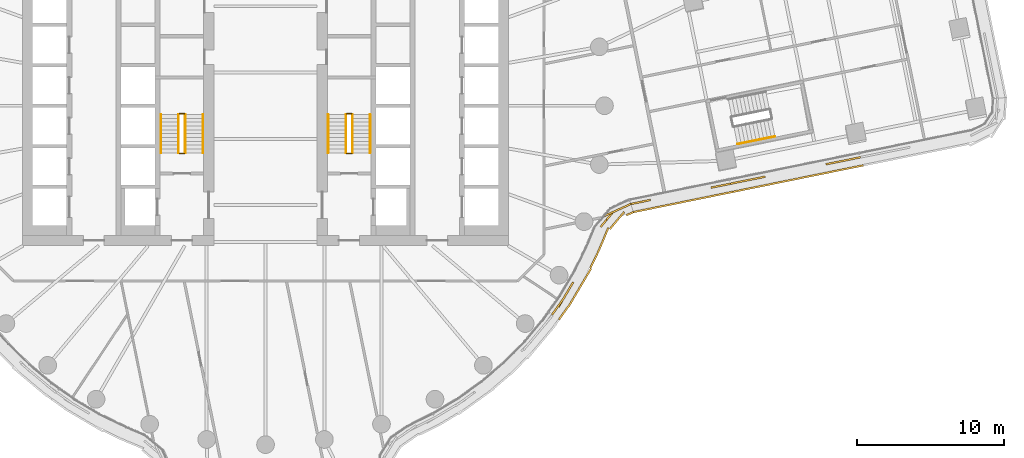
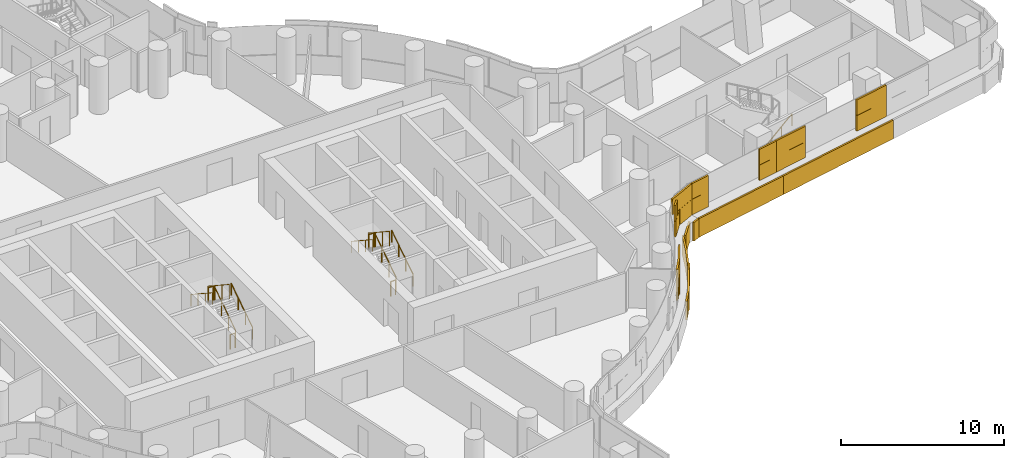
# One storey, part 27 of 31: 13 railings, 3 coverings.
"""IFC4 building model written with IfcOpenShell, lengths in metres."""

from ifc_helpers import new_model, si_unit, direction, frame, origin, origin_2d, place, context, subcontext, project, spatial, rectangle, circle, extrude, material, layer, layer_set, type_object, element, save


model = new_model("IFC4")

# Units and contexts
model_context = context("Model", 3, precision=1e-05, world=origin(), true_north=direction((0.0, 1.0)))
body_context = subcontext(model_context, "Body", "Model", "MODEL_VIEW")
ifc_project = project(units=[si_unit("LENGTHUNIT", "METRE"), si_unit("AREAUNIT", "SQUARE_METRE"), si_unit("VOLUMEUNIT", "CUBIC_METRE"), si_unit("PLANEANGLEUNIT", "RADIAN"), si_unit("MASSUNIT", "GRAM", prefix="KILO")], contexts=[model_context])

# Site, building, storey
site_placement = place(None, origin())
site = spatial("IfcSite", under=ifc_project, at=site_placement, CompositionType="ELEMENT")
building_placement = place(site_placement, origin())
building = spatial("IfcBuilding", under=site, at=building_placement, Name="Tamarind Cross Interchange Tower", CompositionType="ELEMENT")
storey_placement = place(building_placement, frame((0.0, 0.0, 75.25)))
storey = spatial("IfcBuildingStorey", under=building, at=storey_placement, Name="L17", CompositionType="ELEMENT", Elevation=75.25)

# Railings
ifc_material_1 = material(Name="Stair guard")
railing_type_1 = type_object("IfcRailingType", Name="Stair guard", PredefinedType="GUARDRAIL", material=ifc_material_1)
railing_1_placement = place(storey_placement, frame((-5.449951171875, -3.199951171875, 0.17041015625)))
element("IfcRailing", 1, at=railing_1_placement, inside=storey, type_object=railing_type_1, Name="L17 ST1 stair guard 1", PredefinedType="GUARDRAIL", context=body_context, shape_type="SweptSolid", body=[
    extrude(circle(Radius=0.02392578125, at=origin_2d()), frame((0.0, 0.0, 1.076171875), z_axis=(0.0, 0.836278606002, 0.548304744775), x_axis=(-1.0, 0.0, 0.0)), (0.0, 0.0, 1.0), 3.10888671875),
    extrude(circle(Radius=0.02099609375, at=origin_2d()), origin(), (0.0, 0.0, 1.0), 1.052001953125),
    extrude(circle(Radius=0.02099609375, at=origin_2d()), frame((0.0, 0.86669921875, 0.568115234375)), (0.0, 0.0, 1.0), 1.052001953125),
    extrude(circle(Radius=0.02099609375, at=origin_2d()), frame((0.0, 1.733154296875, 1.136474609375)), (0.0, 0.0, 1.0), 1.052001953125),
    extrude(circle(Radius=0.02099609375, at=origin_2d()), frame((0.0, 2.599853515625, 1.70458984375)), (0.0, 0.0, 1.0), 1.052001953125),
])
railing_2_placement = place(storey_placement, frame((-5.5, -0.550048828125, 1.875)))
element("IfcRailing", 2, at=railing_2_placement, inside=storey, type_object=railing_type_1, Name="L17 ST1 stair guard 2", PredefinedType="GUARDRAIL", context=body_context, shape_type="SweptSolid", body=[
    extrude(circle(Radius=0.02392578125, at=origin_2d()), frame((0.0, 0.0, 1.076171875), z_axis=(-1.0, 0.0, 0.0), x_axis=(0.0, -1.0, 0.0)), (0.0, 0.0, 1.0), 0.35009765625),
    extrude(circle(Radius=0.02099609375, at=origin_2d()), origin(), (0.0, 0.0, 1.0), 1.052001953125),
    extrude(circle(Radius=0.02099609375, at=origin_2d()), frame((-0.35009765625, 0.0, 0.0)), (0.0, 0.0, 1.0), 1.052001953125),
])
railing_3_placement = place(storey_placement, frame((-5.89990234375, -0.60009765625, 2.04541015625)))
element("IfcRailing", 3, at=railing_3_placement, inside=storey, type_object=railing_type_1, Name="L17 ST1 stair guard 3", PredefinedType="GUARDRAIL", context=body_context, shape_type="SweptSolid", body=[
    extrude(circle(Radius=0.02392578125, at=origin_2d()), frame((0.0, 0.0, 1.076171875), z_axis=(0.0, -0.836278606002, 0.548304744775), x_axis=(1.0, 0.0, 0.0)), (0.0, 0.0, 1.0), 3.10888671875),
    extrude(circle(Radius=0.02099609375, at=origin_2d()), origin(), (0.0, 0.0, 1.0), 1.052001953125),
    extrude(circle(Radius=0.02099609375, at=origin_2d()), frame((0.0, -0.86669921875, 0.568115234375)), (0.0, 0.0, 1.0), 1.052001953125),
    extrude(circle(Radius=0.02099609375, at=origin_2d()), frame((0.0, -1.733154296875, 1.136474609375)), (0.0, 0.0, 1.0), 1.052001953125),
    extrude(circle(Radius=0.02099609375, at=origin_2d()), frame((0.0, -2.599853515625, 1.70458984375)), (0.0, 0.0, 1.0), 1.052001953125),
])
railing_4_placement = place(storey_placement, frame((-5.5, -3.25, 0.0)))
element("IfcRailing", 4, at=railing_4_placement, inside=storey, type_object=railing_type_1, Name="L17 ST1 stair guard 4", PredefinedType="GUARDRAIL", context=body_context, shape_type="SweptSolid", body=[
    extrude(circle(Radius=0.02392578125, at=origin_2d()), frame((0.0, 0.0, 1.076171875), z_axis=(-1.0, 0.0, 0.0), x_axis=(0.0, -1.0, 0.0)), (0.0, 0.0, 1.0), 0.35009765625),
    extrude(circle(Radius=0.02099609375, at=origin_2d()), origin(), (0.0, 0.0, 1.0), 1.052001953125),
    extrude(circle(Radius=0.02099609375, at=origin_2d()), frame((-0.35009765625, 0.0, 0.0)), (0.0, 0.0, 1.0), 1.052001953125),
])
railing_5_placement = place(storey_placement, frame((5.89990234375, -3.199951171875, 0.17041015625)))
element("IfcRailing", 5, at=railing_5_placement, inside=storey, type_object=railing_type_1, Name="L17 ST2 stair guard 1", PredefinedType="GUARDRAIL", context=body_context, shape_type="SweptSolid", body=[
    extrude(circle(Radius=0.02392578125, at=origin_2d()), frame((0.0, 0.0, 1.076171875), z_axis=(0.0, 0.836278606002, 0.548304744775), x_axis=(-1.0, 0.0, 0.0)), (0.0, 0.0, 1.0), 3.10888671875),
    extrude(circle(Radius=0.02099609375, at=origin_2d()), origin(), (0.0, 0.0, 1.0), 1.052001953125),
    extrude(circle(Radius=0.02099609375, at=origin_2d()), frame((0.0, 0.86669921875, 0.568115234375)), (0.0, 0.0, 1.0), 1.052001953125),
    extrude(circle(Radius=0.02099609375, at=origin_2d()), frame((0.0, 1.733154296875, 1.136474609375)), (0.0, 0.0, 1.0), 1.052001953125),
    extrude(circle(Radius=0.02099609375, at=origin_2d()), frame((0.0, 2.599853515625, 1.70458984375)), (0.0, 0.0, 1.0), 1.052001953125),
])
railing_6_placement = place(storey_placement, frame((5.85009765625, -0.550048828125, 1.875)))
element("IfcRailing", 6, at=railing_6_placement, inside=storey, type_object=railing_type_1, Name="L17 ST2 stair guard 2", PredefinedType="GUARDRAIL", context=body_context, shape_type="SweptSolid", body=[
    extrude(circle(Radius=0.02392578125, at=origin_2d()), frame((0.0, 0.0, 1.076171875), z_axis=(-1.0, 0.0, 0.0), x_axis=(0.0, -1.0, 0.0)), (0.0, 0.0, 1.0), 0.35009765625),
    extrude(circle(Radius=0.02099609375, at=origin_2d()), origin(), (0.0, 0.0, 1.0), 1.052001953125),
    extrude(circle(Radius=0.02099609375, at=origin_2d()), frame((-0.35009765625, 0.0, 0.0)), (0.0, 0.0, 1.0), 1.052001953125),
])
railing_7_placement = place(storey_placement, frame((5.449951171875, -0.60009765625, 2.04541015625)))
element("IfcRailing", 7, at=railing_7_placement, inside=storey, type_object=railing_type_1, Name="L17 ST2 stair guard 3", PredefinedType="GUARDRAIL", context=body_context, shape_type="SweptSolid", body=[
    extrude(circle(Radius=0.02392578125, at=origin_2d()), frame((0.0, 0.0, 1.076171875), z_axis=(0.0, -0.836278606002, 0.548304744775), x_axis=(1.0, 0.0, 0.0)), (0.0, 0.0, 1.0), 3.10888671875),
    extrude(circle(Radius=0.02099609375, at=origin_2d()), origin(), (0.0, 0.0, 1.0), 1.052001953125),
    extrude(circle(Radius=0.02099609375, at=origin_2d()), frame((0.0, -0.86669921875, 0.568115234375)), (0.0, 0.0, 1.0), 1.052001953125),
    extrude(circle(Radius=0.02099609375, at=origin_2d()), frame((0.0, -1.733154296875, 1.136474609375)), (0.0, 0.0, 1.0), 1.052001953125),
    extrude(circle(Radius=0.02099609375, at=origin_2d()), frame((0.0, -2.599853515625, 1.70458984375)), (0.0, 0.0, 1.0), 1.052001953125),
])
railing_8_placement = place(storey_placement, frame((5.85009765625, -3.25, 0.0)))
element("IfcRailing", 8, at=railing_8_placement, inside=storey, type_object=railing_type_1, Name="L17 ST2 stair guard 4", PredefinedType="GUARDRAIL", context=body_context, shape_type="SweptSolid", body=[
    extrude(circle(Radius=0.02392578125, at=origin_2d()), frame((0.0, 0.0, 1.076171875), z_axis=(-1.0, 0.0, 0.0), x_axis=(0.0, -1.0, 0.0)), (0.0, 0.0, 1.0), 0.35009765625),
    extrude(circle(Radius=0.02099609375, at=origin_2d()), origin(), (0.0, 0.0, 1.0), 1.052001953125),
    extrude(circle(Radius=0.02099609375, at=origin_2d()), frame((-0.35009765625, 0.0, 0.0)), (0.0, 0.0, 1.0), 1.052001953125),
])
ifc_material_2 = material(Name="Stair handrail")
railing_type_2 = type_object("IfcRailingType", Name="Stair handrail", PredefinedType="HANDRAIL", material=ifc_material_2)
railing_9_placement = place(storey_placement, frame((-4.25, -3.199951171875, 0.17041015625)))
element("IfcRailing", 9, at=railing_9_placement, inside=storey, type_object=railing_type_2, Name="L17 ST1 stair handrail 1", PredefinedType="HANDRAIL", context=body_context, shape_type="SweptSolid", body=[
    extrude(circle(Radius=0.02392578125, at=origin_2d()), frame((0.0, 0.0, 0.8759765625), z_axis=(0.0, 0.836278606002, 0.548304744775), x_axis=(-1.0, 0.0, 0.0)), (0.0, 0.0, 1.0), 3.10888671875),
    extrude(circle(Radius=0.02099609375, at=origin_2d()), origin(), (0.0, 0.0, 1.0), 0.851806640625),
    extrude(circle(Radius=0.02099609375, at=origin_2d()), frame((0.0, 0.86669921875, 0.568115234375)), (0.0, 0.0, 1.0), 0.851806640625),
    extrude(circle(Radius=0.02099609375, at=origin_2d()), frame((0.0, 1.733154296875, 1.136474609375)), (0.0, 0.0, 1.0), 0.851806640625),
    extrude(circle(Radius=0.02099609375, at=origin_2d()), frame((0.0, 2.599853515625, 1.70458984375)), (0.0, 0.0, 1.0), 0.851806640625),
])
railing_10_placement = place(storey_placement, frame((-7.10009765625, -0.60009765625, 2.04541015625)))
element("IfcRailing", 10, at=railing_10_placement, inside=storey, type_object=railing_type_2, Name="L17 ST1 stair handrail 2", PredefinedType="HANDRAIL", context=body_context, shape_type="SweptSolid", body=[
    extrude(circle(Radius=0.02392578125, at=origin_2d()), frame((0.0, 0.0, 0.8759765625), z_axis=(0.0, -0.836278606002, 0.548304744775), x_axis=(1.0, 0.0, 0.0)), (0.0, 0.0, 1.0), 3.10888671875),
    extrude(circle(Radius=0.02099609375, at=origin_2d()), origin(), (0.0, 0.0, 1.0), 0.851806640625),
    extrude(circle(Radius=0.02099609375, at=origin_2d()), frame((0.0, -0.86669921875, 0.568115234375)), (0.0, 0.0, 1.0), 0.851806640625),
    extrude(circle(Radius=0.02099609375, at=origin_2d()), frame((0.0, -1.733154296875, 1.136474609375)), (0.0, 0.0, 1.0), 0.851806640625),
    extrude(circle(Radius=0.02099609375, at=origin_2d()), frame((0.0, -2.599853515625, 1.70458984375)), (0.0, 0.0, 1.0), 0.851806640625),
])
railing_11_placement = place(storey_placement, frame((7.10009765625, -3.199951171875, 0.17041015625)))
element("IfcRailing", 11, at=railing_11_placement, inside=storey, type_object=railing_type_2, Name="L17 ST2 stair handrail 1", PredefinedType="HANDRAIL", context=body_context, shape_type="SweptSolid", body=[
    extrude(circle(Radius=0.02392578125, at=origin_2d()), frame((0.0, 0.0, 0.8759765625), z_axis=(0.0, 0.836278606002, 0.548304744775), x_axis=(-1.0, 0.0, 0.0)), (0.0, 0.0, 1.0), 3.10888671875),
    extrude(circle(Radius=0.02099609375, at=origin_2d()), origin(), (0.0, 0.0, 1.0), 0.851806640625),
    extrude(circle(Radius=0.02099609375, at=origin_2d()), frame((0.0, 0.86669921875, 0.568115234375)), (0.0, 0.0, 1.0), 0.851806640625),
    extrude(circle(Radius=0.02099609375, at=origin_2d()), frame((0.0, 1.733154296875, 1.136474609375)), (0.0, 0.0, 1.0), 0.851806640625),
    extrude(circle(Radius=0.02099609375, at=origin_2d()), frame((0.0, 2.599853515625, 1.70458984375)), (0.0, 0.0, 1.0), 0.851806640625),
])
railing_12_placement = place(storey_placement, frame((4.25, -0.60009765625, 2.04541015625)))
element("IfcRailing", 12, at=railing_12_placement, inside=storey, type_object=railing_type_2, Name="L17 ST2 stair handrail 2", PredefinedType="HANDRAIL", context=body_context, shape_type="SweptSolid", body=[
    extrude(circle(Radius=0.02392578125, at=origin_2d()), frame((0.0, 0.0, 0.8759765625), z_axis=(0.0, -0.836278606002, 0.548304744775), x_axis=(1.0, 0.0, 0.0)), (0.0, 0.0, 1.0), 3.10888671875),
    extrude(circle(Radius=0.02099609375, at=origin_2d()), origin(), (0.0, 0.0, 1.0), 0.851806640625),
    extrude(circle(Radius=0.02099609375, at=origin_2d()), frame((0.0, -0.86669921875, 0.568115234375)), (0.0, 0.0, 1.0), 0.851806640625),
    extrude(circle(Radius=0.02099609375, at=origin_2d()), frame((0.0, -1.733154296875, 1.136474609375)), (0.0, 0.0, 1.0), 0.851806640625),
    extrude(circle(Radius=0.02099609375, at=origin_2d()), frame((0.0, -2.599853515625, 1.70458984375)), (0.0, 0.0, 1.0), 0.851806640625),
])
railing_13_placement = place(storey_placement, frame((32.02001953125, -2.605712890625, 0.17041015625)))
element("IfcRailing", 13, at=railing_13_placement, inside=storey, type_object=railing_type_2, Name="L17 ST3 stair handrail 1", PredefinedType="HANDRAIL", context=body_context, shape_type="SweptSolid", body=[
    extrude(circle(Radius=0.02392578125, at=origin_2d()), frame((0.0, 0.0, 0.8759765625), z_axis=(0.819521697612, 0.166637125559, 0.548284830656), x_axis=(-0.199257188689, 0.979947229577, 0.0)), (0.0, 0.0, 1.0), 3.10888671875),
    extrude(circle(Radius=0.02099609375, at=origin_2d()), origin(), (0.0, 0.0, 1.0), 0.851806640625),
    extrude(circle(Radius=0.02099609375, at=origin_2d()), frame((0.849365234375, 0.172607421875, 0.568115234375)), (0.0, 0.0, 1.0), 0.851806640625),
    extrude(circle(Radius=0.02099609375, at=origin_2d()), frame((1.698486328125, 0.345458984375, 1.136474609375)), (0.0, 0.0, 1.0), 0.851806640625),
    extrude(circle(Radius=0.02099609375, at=origin_2d()), frame((2.5478515625, 0.51806640625, 1.70458984375)), (0.0, 0.0, 1.0), 0.851806640625),
])

# Coverings
ifc_material_3 = material(Name="Terracotta", Category="masonry")
ifc_layer = layer(ifc_material_3, 0.1201171875)
ifc_layer_set = layer_set([ifc_layer], Name="Terracotta")
covering_type = type_object("IfcCoveringType", Name="Terracotta baguette screen unit", PredefinedType="MOLDING", material=ifc_layer_set)
covering_1_placement = place(storey_placement, origin())
element("IfcCovering", 14, at=covering_1_placement, inside=storey, type_object=covering_type, Name="SCR-L17-06-01", PredefinedType="MOLDING", context=body_context, shape_type="SweptSolid", body=[
    extrude(rectangle(XDim=0.69775390625, YDim=0.1201171875, at=origin_2d()), frame((19.647216796875, -13.897216796875, 1.404052734375), z_axis=(0.0, 0.0, 1.0), x_axis=(0.577568978284, 0.816341886298, 0.0)), (0.0, 0.0, 1.0), 1.1669921875),
    extrude(rectangle(XDim=1.52001953125, YDim=0.1201171875, at=origin_2d()), frame((20.27197265625, -12.99951171875, 1.404052734375), z_axis=(0.0, 0.0, 1.0), x_axis=(0.508183308752, 0.861248933065, 0.0)), (0.0, 0.0, 1.0), 1.1669921875),
    extrude(rectangle(XDim=0.454345703125, YDim=0.1201171875, at=origin_2d()), frame((20.76611328125, -12.162353515625, 1.404052734375), z_axis=(0.0, 0.0, 1.0), x_axis=(0.508183308752, 0.861248933065, 0.0)), (0.0, 0.0, 1.0), 1.1669921875),
    extrude(rectangle(XDim=1.36572265625, YDim=0.1201171875, at=origin_2d()), frame((23.178955078125, -7.70068359375, 1.404052734375), z_axis=(0.0, 0.0, 1.0), x_axis=(0.642347784844, 0.766413284923, 0.0)), (0.0, 0.0, 1.0), 1.1669921875),
    extrude(rectangle(XDim=1.286376953125, YDim=0.1201171875, at=origin_2d()), frame((24.20751953125, -6.9326171875, 1.404052734375), z_axis=(0.0, 0.0, 1.0), x_axis=(0.910081962098, 0.414428307748, 0.0)), (0.0, 0.0, 1.0), 1.1669921875),
    extrude(rectangle(XDim=1.44775390625, YDim=0.1201171875, at=origin_2d()), frame((19.864013671875, -13.591064453125, 2.5791015625), z_axis=(0.0, 0.0, 1.0), x_axis=(0.577568978284, 0.816341886298, 0.0)), (0.0, 0.0, 1.0), 1.1669921875),
    extrude(rectangle(XDim=1.204345703125, YDim=0.1201171875, at=origin_2d()), frame((20.575439453125, -12.4853515625, 2.5791015625), z_axis=(0.0, 0.0, 1.0), x_axis=(0.508183308752, 0.861248933065, 0.0)), (0.0, 0.0, 1.0), 1.1669921875),
    extrude(rectangle(XDim=0.61572265625, YDim=0.1201171875, at=origin_2d()), frame((22.938232421875, -7.988037109375, 2.5791015625), z_axis=(0.0, 0.0, 1.0), x_axis=(0.642347784844, 0.766413284923, 0.0)), (0.0, 0.0, 1.0), 1.1669921875),
    extrude(rectangle(XDim=1.52001953125, YDim=0.1201171875, at=origin_2d()), frame((23.626708984375, -7.197021484375, 2.5791015625), z_axis=(0.0, 0.0, 1.0), x_axis=(0.910081962098, 0.414428307748, 0.0)), (0.0, 0.0, 1.0), 1.1669921875),
    extrude(rectangle(XDim=0.536376953125, YDim=0.1201171875, at=origin_2d()), frame((24.548583984375, -6.77734375, 2.5791015625), z_axis=(0.0, 0.0, 1.0), x_axis=(0.910081962098, 0.414428307748, 0.0)), (0.0, 0.0, 1.0), 1.1669921875),
    extrude(rectangle(XDim=1.097900390625, YDim=0.1201171875, at=origin_2d()), frame((20.229736328125, -14.06787109375, 0.00390625), z_axis=(0.0, 0.0, 1.0), x_axis=(0.577568978284, 0.816341886298, 0.0)), (0.0, 0.0, 1.0), 1.39208984375),
    extrude(rectangle(XDim=1.52001953125, YDim=0.1201171875, at=origin_2d()), frame((20.941650390625, -12.994384765625, 0.00390625), z_axis=(0.0, 0.0, 1.0), x_axis=(0.508183308752, 0.861248933065, 0.0)), (0.0, 0.0, 1.0), 1.39208984375),
    extrude(rectangle(XDim=1.52001953125, YDim=0.1201171875, at=origin_2d()), frame((21.703857421875, -11.70263671875, 0.00390625), z_axis=(0.0, 0.0, 1.0), x_axis=(0.508183308752, 0.861248933065, 0.0)), (0.0, 0.0, 1.0), 1.39208984375),
    extrude(rectangle(XDim=1.52001953125, YDim=0.1201171875, at=origin_2d()), frame((22.36181640625, -10.354736328125, 0.00390625), z_axis=(0.0, 0.0, 1.0), x_axis=(0.435326231914, 0.900272776334, 0.0)), (0.0, 0.0, 1.0), 1.39208984375),
    extrude(rectangle(XDim=1.52001953125, YDim=0.1201171875, at=origin_2d()), frame((22.969970703125, -8.984375, 0.00390625), z_axis=(0.0, 0.0, 1.0), x_axis=(0.385694065961, 0.922626732478, 0.0)), (0.0, 0.0, 1.0), 1.39208984375),
    extrude(rectangle(XDim=1.52001953125, YDim=0.1201171875, at=origin_2d()), frame((23.85546875, -7.787109375, 0.00390625), z_axis=(0.0, 0.0, 1.0), x_axis=(0.642347784844, 0.766413284923, 0.0)), (0.0, 0.0, 1.0), 1.39208984375),
    extrude(rectangle(XDim=0.520263671875, YDim=0.1201171875, at=origin_2d()), frame((24.729736328125, -7.325439453125, 0.00390625), z_axis=(0.0, 0.0, 1.0), x_axis=(0.910081962098, 0.414428307748, 0.0)), (0.0, 0.0, 1.0), 1.39208984375),
])
covering_2_placement = place(storey_placement, origin())
element("IfcCovering", 15, at=covering_2_placement, inside=storey, type_object=covering_type, Name="SCR-L17-07-00", PredefinedType="MOLDING", context=body_context, shape_type="SweptSolid", body=[
    extrude(rectangle(XDim=0.760009765625, YDim=0.1201171875, at=origin_2d()), frame((25.15576171875, -6.593505859375, 1.404052734375), z_axis=(0.0, 0.0, 1.0), x_axis=(0.979949750197, 0.199244791873, 0.0)), (0.0, 0.0, 1.0), 1.1669921875),
    extrude(rectangle(XDim=0.613525390625, YDim=0.1201171875, at=origin_2d()), frame((25.81884765625, -6.45849609375, 1.404052734375), z_axis=(0.0, 0.0, 1.0), x_axis=(0.979949750197, 0.199244791873, 0.0)), (0.0, 0.0, 1.0), 1.1669921875),
    extrude(rectangle(XDim=1.20654296875, YDim=0.1201171875, at=origin_2d()), frame((30.816650390625, -5.4423828125, 1.404052734375), z_axis=(0.0, 0.0, 1.0), x_axis=(0.979949750197, 0.199244791873, 0.0)), (0.0, 0.0, 1.0), 1.1669921875),
    extrude(rectangle(XDim=0.1669921875, YDim=0.1201171875, at=origin_2d()), frame((31.479736328125, -5.3076171875, 1.404052734375), z_axis=(0.0, 0.0, 1.0), x_axis=(0.979949750197, 0.199244791873, 0.0)), (0.0, 0.0, 1.0), 1.1669921875),
    extrude(rectangle(XDim=1.353515625, YDim=0.1201171875, at=origin_2d()), frame((25.451416015625, -6.533447265625, 2.5791015625), z_axis=(0.0, 0.0, 1.0), x_axis=(0.979949750197, 0.199244791873, 0.0)), (0.0, 0.0, 1.0), 1.1669921875),
    extrude(rectangle(XDim=0.45654296875, YDim=0.1201171875, at=origin_2d()), frame((30.44921875, -5.51708984375, 2.5791015625), z_axis=(0.0, 0.0, 1.0), x_axis=(0.979949750197, 0.199244791873, 0.0)), (0.0, 0.0, 1.0), 1.1669921875),
    extrude(rectangle(XDim=0.9169921875, YDim=0.1201171875, at=origin_2d()), frame((31.1123046875, -5.38232421875, 2.5791015625), z_axis=(0.0, 0.0, 1.0), x_axis=(0.979949750197, 0.199244791873, 0.0)), (0.0, 0.0, 1.0), 1.1669921875),
    extrude(rectangle(XDim=0.760009765625, YDim=0.1201171875, at=origin_2d()), frame((25.3388671875, -7.141845703125, 0.00390625), z_axis=(0.0, 0.0, 1.0), x_axis=(0.979949750197, 0.199244791873, 0.0)), (0.0, 0.0, 1.0), 1.39208984375),
    extrude(rectangle(XDim=1.52001953125, YDim=0.1201171875, at=origin_2d()), frame((26.4365234375, -6.918701171875, 0.00390625), z_axis=(0.0, 0.0, 1.0), x_axis=(0.979949750197, 0.199244791873, 0.0)), (0.0, 0.0, 1.0), 1.39208984375),
    extrude(rectangle(XDim=1.52001953125, YDim=0.1201171875, at=origin_2d()), frame((27.906494140625, -6.619873046875, 0.00390625), z_axis=(0.0, 0.0, 1.0), x_axis=(0.979949750197, 0.199244791873, 0.0)), (0.0, 0.0, 1.0), 1.39208984375),
    extrude(rectangle(XDim=1.52001953125, YDim=0.1201171875, at=origin_2d()), frame((29.37646484375, -6.321044921875, 0.00390625), z_axis=(0.0, 0.0, 1.0), x_axis=(0.979949750197, 0.199244791873, 0.0)), (0.0, 0.0, 1.0), 1.39208984375),
    extrude(rectangle(XDim=1.52001953125, YDim=0.1201171875, at=origin_2d()), frame((30.84619140625, -6.022216796875, 0.00390625), z_axis=(0.0, 0.0, 1.0), x_axis=(0.979949750197, 0.199244791873, 0.0)), (0.0, 0.0, 1.0), 1.39208984375),
    extrude(rectangle(XDim=0.169921875, YDim=0.1201171875, at=origin_2d()), frame((31.65478515625, -5.85791015625, 0.00390625), z_axis=(0.0, 0.0, 1.0), x_axis=(0.979949750197, 0.199244791873, 0.0)), (0.0, 0.0, 1.0), 1.39208984375),
])
covering_3_placement = place(storey_placement, origin())
element("IfcCovering", 16, at=covering_3_placement, inside=storey, type_object=covering_type, Name="SCR-L17-07-01", PredefinedType="MOLDING", context=body_context, shape_type="SweptSolid", body=[
    extrude(rectangle(XDim=1.35302734375, YDim=0.1201171875, at=origin_2d()), frame((32.21484375, -5.158203125, 1.404052734375), z_axis=(0.0, 0.0, 1.0), x_axis=(0.979949750197, 0.199244791873, 0.0)), (0.0, 0.0, 1.0), 1.1669921875),
    extrude(rectangle(XDim=1.0673828125, YDim=0.1201171875, at=origin_2d()), frame((33.390869140625, -4.9189453125, 1.404052734375), z_axis=(0.0, 0.0, 1.0), x_axis=(0.979949750197, 0.199244791873, 0.0)), (0.0, 0.0, 1.0), 1.1669921875),
    extrude(rectangle(XDim=0.752685546875, YDim=0.1201171875, at=origin_2d()), frame((38.388671875, -3.90283203125, 1.404052734375), z_axis=(0.0, 0.0, 1.0), x_axis=(0.979949750197, 0.199244791873, 0.0)), (0.0, 0.0, 1.0), 1.1669921875),
    extrude(rectangle(XDim=1.52001953125, YDim=0.1201171875, at=origin_2d()), frame((39.4873046875, -3.679443359375, 1.404052734375), z_axis=(0.0, 0.0, 1.0), x_axis=(0.979949750197, 0.199244791873, 0.0)), (0.0, 0.0, 1.0), 1.1669921875),
    extrude(rectangle(XDim=0.16748046875, YDim=0.1201171875, at=origin_2d()), frame((40.299560546875, -3.514404296875, 1.404052734375), z_axis=(0.0, 0.0, 1.0), x_axis=(0.979949750197, 0.199244791873, 0.0)), (0.0, 0.0, 1.0), 1.1669921875),
    extrude(rectangle(XDim=0.60302734375, YDim=0.1201171875, at=origin_2d()), frame((31.84716796875, -5.23291015625, 2.5791015625), z_axis=(0.0, 0.0, 1.0), x_axis=(0.979949750197, 0.199244791873, 0.0)), (0.0, 0.0, 1.0), 1.1669921875),
    extrude(rectangle(XDim=1.52001953125, YDim=0.1201171875, at=origin_2d()), frame((32.872802734375, -5.0244140625, 2.5791015625), z_axis=(0.0, 0.0, 1.0), x_axis=(0.979949750197, 0.199244791873, 0.0)), (0.0, 0.0, 1.0), 1.1669921875),
    extrude(rectangle(XDim=0.3173828125, YDim=0.1201171875, at=origin_2d()), frame((33.75830078125, -4.84423828125, 2.5791015625), z_axis=(0.0, 0.0, 1.0), x_axis=(0.979949750197, 0.199244791873, 0.0)), (0.0, 0.0, 1.0), 1.1669921875),
    extrude(rectangle(XDim=1.502685546875, YDim=0.1201171875, at=origin_2d()), frame((38.756103515625, -3.828125, 2.5791015625), z_axis=(0.0, 0.0, 1.0), x_axis=(0.979949750197, 0.199244791873, 0.0)), (0.0, 0.0, 1.0), 1.1669921875),
    extrude(rectangle(XDim=0.91748046875, YDim=0.1201171875, at=origin_2d()), frame((39.93212890625, -3.589111328125, 2.5791015625), z_axis=(0.0, 0.0, 1.0), x_axis=(0.979949750197, 0.199244791873, 0.0)), (0.0, 0.0, 1.0), 1.1669921875),
    extrude(rectangle(XDim=1.349853515625, YDim=0.1201171875, at=origin_2d()), frame((32.3994140625, -5.706298828125, 0.00390625), z_axis=(0.0, 0.0, 1.0), x_axis=(0.979949750197, 0.199244791873, 0.0)), (0.0, 0.0, 1.0), 1.39208984375),
    extrude(rectangle(XDim=1.52001953125, YDim=0.1201171875, at=origin_2d()), frame((33.7861328125, -5.42431640625, 0.00390625), z_axis=(0.0, 0.0, 1.0), x_axis=(0.979949750197, 0.199244791873, 0.0)), (0.0, 0.0, 1.0), 1.39208984375),
    extrude(rectangle(XDim=1.52001953125, YDim=0.1201171875, at=origin_2d()), frame((35.256103515625, -5.12548828125, 0.00390625), z_axis=(0.0, 0.0, 1.0), x_axis=(0.979949750197, 0.199244791873, 0.0)), (0.0, 0.0, 1.0), 1.39208984375),
    extrude(rectangle(XDim=1.52001953125, YDim=0.1201171875, at=origin_2d()), frame((36.72607421875, -4.82666015625, 0.00390625), z_axis=(0.0, 0.0, 1.0), x_axis=(0.979949750197, 0.199244791873, 0.0)), (0.0, 0.0, 1.0), 1.39208984375),
    extrude(rectangle(XDim=1.52001953125, YDim=0.1201171875, at=origin_2d()), frame((38.19580078125, -4.52783203125, 0.00390625), z_axis=(0.0, 0.0, 1.0), x_axis=(0.979949750197, 0.199244791873, 0.0)), (0.0, 0.0, 1.0), 1.39208984375),
    extrude(rectangle(XDim=1.52001953125, YDim=0.1201171875, at=origin_2d()), frame((39.665771484375, -4.22900390625, 0.00390625), z_axis=(0.0, 0.0, 1.0), x_axis=(0.979949750197, 0.199244791873, 0.0)), (0.0, 0.0, 1.0), 1.39208984375),
    extrude(rectangle(XDim=0.17431640625, YDim=0.1201171875, at=origin_2d()), frame((40.4765625, -4.064208984375, 0.00390625), z_axis=(0.0, 0.0, 1.0), x_axis=(0.979949750197, 0.199244791873, 0.0)), (0.0, 0.0, 1.0), 1.39208984375),
])

save(model, "model.ifc")
